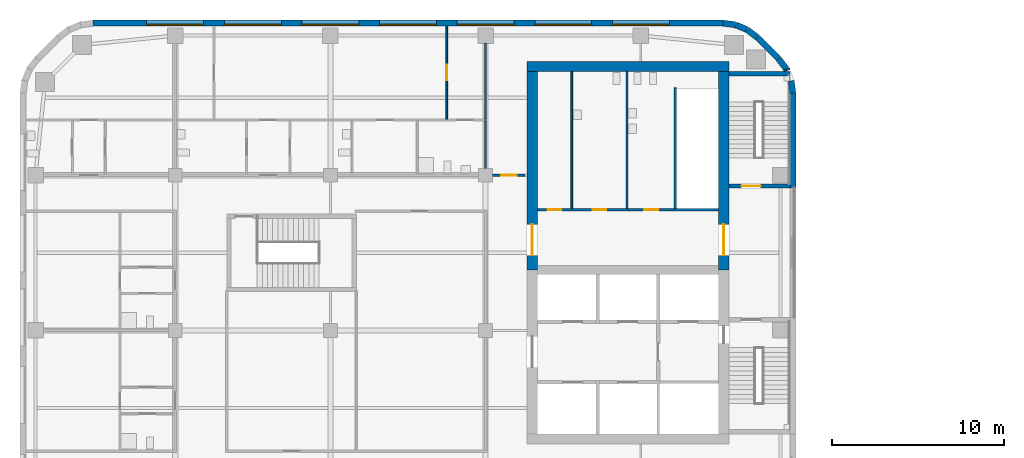
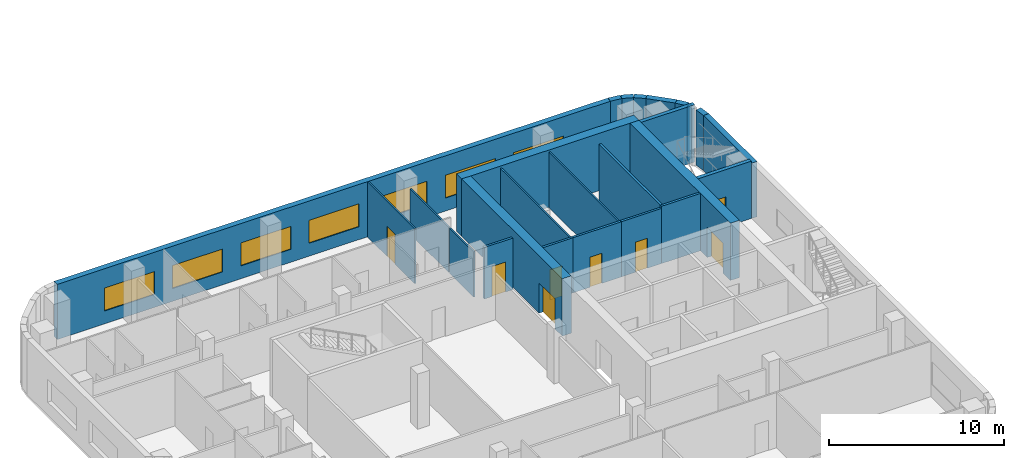
# One storey, part 8 of 16: 25 walls, 8 doors, 7 windows, 15 openings.
"""IFC4 building model written with IfcOpenShell, lengths in metres."""

from ifc_helpers import new_model, si_unit, direction, frame, frame_2d, origin, place, context, subcontext, project, spatial, rectangle, extrude, material, layer, layer_set, type_object, element, fill, save


model = new_model("IFC4")

# Units and contexts
model_context = context("Model", 3, precision=1e-05, world=origin(), true_north=direction((0.0, 1.0)))
body_context = subcontext(model_context, "Body", "Model", "MODEL_VIEW")
ifc_project = project(units=[si_unit("LENGTHUNIT", "METRE"), si_unit("AREAUNIT", "SQUARE_METRE"), si_unit("VOLUMEUNIT", "CUBIC_METRE"), si_unit("PLANEANGLEUNIT", "RADIAN"), si_unit("MASSUNIT", "GRAM", prefix="KILO")], contexts=[model_context])

# Site, building, storey
site_placement = place(None, origin())
site = spatial("IfcSite", under=ifc_project, at=site_placement, CompositionType="ELEMENT")
building_placement = place(site_placement, origin())
building = spatial("IfcBuilding", under=site, at=building_placement, Name="Cinnabar Reach Civic Tower", CompositionType="ELEMENT")
storey_placement = place(building_placement, frame((0.0, 0.0, 38.0)))
storey = spatial("IfcBuildingStorey", under=building, at=storey_placement, Name="L08", CompositionType="ELEMENT", Elevation=38.0)

# Walls
ifc_material_1 = material(Name="Facing brick with insulated backing", Category="masonry")
ifc_layer_1 = layer(ifc_material_1, 0.36)
ifc_layer_set_1 = layer_set([ifc_layer_1], Name="Brick corner wall")
wall_type_1 = type_object("IfcWallType", Name="Brick corner wall", PredefinedType="STANDARD", material=ifc_layer_set_1)
wall_1_placement = place(storey_placement, frame((-27.183, 40.7686, 0.0), z_axis=(0.0, 0.0, 1.0), x_axis=(-0.13055608231, 0.99144092581, 0.0)))
element("IfcWall", 1, at=wall_1_placement, inside=storey, type_object=wall_type_1, Name="Brick corner wall", PredefinedType="STANDARD", context=body_context, shape_type="SweptSolid", body=[
    extrude(rectangle(XDim=0.7131, YDim=0.36, at=frame_2d((0.3565, 0.0))), origin(), (0.0, 0.0, 1.0), 3.85),
])
wall_2_placement = place(storey_placement, frame((-27.5206, 42.0735, 0.0), z_axis=(0.0, 0.0, 1.0), x_axis=(-0.382549378284, 0.923935048136, 0.0)))
element("IfcWall", 2, at=wall_2_placement, inside=storey, type_object=wall_type_1, Name="Brick corner wall", PredefinedType="STANDARD", context=body_context, shape_type="SweptSolid", body=[
    extrude(rectangle(XDim=0.0894, YDim=0.36, at=frame_2d((0.0447, 0.0))), origin(), (0.0, 0.0, 1.0), 3.85),
])
for number, where, z_axis, x_axis, name in (
    (3, (-27.566, 42.1755, 0.0), (0.0, 0.0, 1.0), (-0.608802368033, 0.793321924995, 0.0), "Brick corner wall"),
    (4, (-29.2587, 43.9998, 0.0), (0.0, 0.0, 1.0), (-0.793321924995, 0.608802368033, 0.0), "Brick corner wall"),
):
    element("IfcWall", number, at=place(storey_placement, frame(where, z_axis=z_axis, x_axis=x_axis)), inside=storey, type_object=wall_type_1, Name=name, PredefinedType="STANDARD", context=body_context, shape_type="SweptSolid", body=[
        extrude(rectangle(XDim=0.7132, YDim=0.36, at=frame_2d((0.3566, 0.0))), origin(), (0.0, 0.0, 1.0), 3.85),
    ])
for number, where, z_axis, x_axis, name in (
    (5, (-29.8439, 44.4452, 0.0), (0.0, 0.0, 1.0), (-0.923871547278, 0.382702709855, 0.0), "Brick corner wall"),
    (6, (-30.5244, 44.7239, 0.0), (0.0, 0.0, 1.0), (-0.99144092581, 0.13055608231, 0.0), "Brick corner wall"),
):
    element("IfcWall", number, at=place(storey_placement, frame(where, z_axis=z_axis, x_axis=x_axis)), inside=storey, type_object=wall_type_1, Name=name, PredefinedType="STANDARD", context=body_context, shape_type="SweptSolid", body=[
        extrude(rectangle(XDim=0.7131, YDim=0.36, at=frame_2d((0.3565, 0.0))), origin(), (0.0, 0.0, 1.0), 3.85),
    ])
ifc_layer_2 = layer(ifc_material_1, 0.36)
ifc_layer_set_2 = layer_set([ifc_layer_2], Name="Brick pier and spandrel wall")
wall_type_2 = type_object("IfcWallType", Name="Brick pier and spandrel wall", PredefinedType="STANDARD", material=ifc_layer_set_2)
wall_3_placement = place(storey_placement, frame((-27.18, 35.25, 0.0), z_axis=(0.0, 0.0, 1.0), x_axis=(0.0, 1.0, 0.0)))
element("IfcWall", 7, at=wall_3_placement, inside=storey, type_object=wall_type_2, Name="Brick facade wall", PredefinedType="STANDARD", context=body_context, shape_type="SweptSolid", body=[
    extrude(rectangle(XDim=5.5074, YDim=0.36, at=frame_2d((2.7537, 0.0))), origin(), (0.0, 0.0, 1.0), 3.85),
])
wall_4_placement = place(storey_placement, frame((-28.006, 42.7514, 0.0), z_axis=(0.0, 0.0, 1.0), x_axis=(-0.707106781187, 0.707106781187, 0.0)))
element("IfcWall", 8, at=wall_4_placement, inside=storey, type_object=wall_type_2, Name="Brick facade wall", PredefinedType="STANDARD", context=body_context, shape_type="SweptSolid", body=[
    extrude(rectangle(XDim=1.7573, YDim=0.36, at=frame_2d((0.8787, 0.0))), origin(), (0.0, 0.0, 1.0), 3.85),
])

# Wall, openings, windows
wall_5_placement = place(storey_placement, frame((-31.2426, 44.82, 0.0), z_axis=(0.0, 0.0, 1.0), x_axis=(-1.0, 0.0, 0.0)))
wall_5 = element("IfcWall", 9, at=wall_5_placement, inside=storey, type_object=wall_type_2, Name="Brick facade wall", PredefinedType="STANDARD", context=body_context, shape_type="SweptSolid", body=[
    extrude(rectangle(XDim=36.5148, YDim=0.36, at=frame_2d((18.2574, 0.0))), origin(), (0.0, 0.0, 1.0), 3.85),
])
opening_1_placement = place(wall_5_placement, frame((3.1074, 0.0, 0.9)))
opening_1 = element("IfcOpeningElement", 10, at=opening_1_placement, cuts=wall_5, Name="Opening W2425", PredefinedType="OPENING", context=body_context, shape_type="SweptSolid", body=[
    extrude(rectangle(XDim=3.3, YDim=1.6, at=frame_2d((1.65, 0.8))), frame((0.0, 0.19, 0.0), z_axis=(0.0, -1.0, 0.0), x_axis=(1.0, 0.0, 0.0)), (0.0, 0.0, 1.0), 0.38),
])
opening_2_placement = place(wall_5_placement, frame((7.6074, 0.0, 0.9)))
opening_2 = element("IfcOpeningElement", 11, at=opening_2_placement, cuts=wall_5, Name="Opening W2426", PredefinedType="OPENING", context=body_context, shape_type="SweptSolid", body=[
    extrude(rectangle(XDim=3.3, YDim=1.6, at=frame_2d((1.65, 0.8))), frame((0.0, 0.19, 0.0), z_axis=(0.0, -1.0, 0.0), x_axis=(1.0, 0.0, 0.0)), (0.0, 0.0, 1.0), 0.38),
])
opening_3_placement = place(wall_5_placement, frame((12.1074, 0.0, 0.9)))
opening_3 = element("IfcOpeningElement", 12, at=opening_3_placement, cuts=wall_5, Name="Opening W2427", PredefinedType="OPENING", context=body_context, shape_type="SweptSolid", body=[
    extrude(rectangle(XDim=3.3, YDim=1.6, at=frame_2d((1.65, 0.8))), frame((0.0, 0.19, 0.0), z_axis=(0.0, -1.0, 0.0), x_axis=(1.0, 0.0, 0.0)), (0.0, 0.0, 1.0), 0.38),
])
opening_4_placement = place(wall_5_placement, frame((16.6074, 0.0, 0.9)))
opening_4 = element("IfcOpeningElement", 13, at=opening_4_placement, cuts=wall_5, Name="Opening W2428", PredefinedType="OPENING", context=body_context, shape_type="SweptSolid", body=[
    extrude(rectangle(XDim=3.3, YDim=1.6, at=frame_2d((1.65, 0.8))), frame((0.0, 0.19, 0.0), z_axis=(0.0, -1.0, 0.0), x_axis=(1.0, 0.0, 0.0)), (0.0, 0.0, 1.0), 0.38),
])
opening_5_placement = place(wall_5_placement, frame((21.1074, 0.0, 0.9)))
opening_5 = element("IfcOpeningElement", 14, at=opening_5_placement, cuts=wall_5, Name="Opening W2429", PredefinedType="OPENING", context=body_context, shape_type="SweptSolid", body=[
    extrude(rectangle(XDim=3.3, YDim=1.6, at=frame_2d((1.65, 0.8))), frame((0.0, 0.19, 0.0), z_axis=(0.0, -1.0, 0.0), x_axis=(1.0, 0.0, 0.0)), (0.0, 0.0, 1.0), 0.38),
])
opening_6_placement = place(wall_5_placement, frame((25.6074, 0.0, 0.9)))
opening_6 = element("IfcOpeningElement", 15, at=opening_6_placement, cuts=wall_5, Name="Opening W2430", PredefinedType="OPENING", context=body_context, shape_type="SweptSolid", body=[
    extrude(rectangle(XDim=3.3, YDim=1.6, at=frame_2d((1.65, 0.8))), frame((0.0, 0.19, 0.0), z_axis=(0.0, -1.0, 0.0), x_axis=(1.0, 0.0, 0.0)), (0.0, 0.0, 1.0), 0.38),
])
opening_7_placement = place(wall_5_placement, frame((30.1074, 0.0, 0.9)))
opening_7 = element("IfcOpeningElement", 16, at=opening_7_placement, cuts=wall_5, Name="Opening W2431", PredefinedType="OPENING", context=body_context, shape_type="SweptSolid", body=[
    extrude(rectangle(XDim=3.3, YDim=1.6, at=frame_2d((1.65, 0.8))), frame((0.0, 0.19, 0.0), z_axis=(0.0, -1.0, 0.0), x_axis=(1.0, 0.0, 0.0)), (0.0, 0.0, 1.0), 0.38),
])
ifc_material_2 = material(Name="Clear double glazing in aluminium frame", Category="aluminium")
window_type = type_object("IfcWindowType", Name="Deep-set window A", PartitioningType="SINGLE_PANEL", PredefinedType="WINDOW", material=ifc_material_2)
window_1_placement = place(opening_1_placement, origin())
window_1 = element("IfcWindow", 17, at=window_1_placement, inside=storey, type_object=window_type, Name="Window north face", OverallHeight=1.6, OverallWidth=3.3, PartitioningType="SINGLE_PANEL", PredefinedType="WINDOW", context=body_context, shape_type="SweptSolid", body=[
    extrude(rectangle(XDim=3.3, YDim=1.6, at=frame_2d((1.65, 0.8))), frame((0.0, 0.13, 0.0), z_axis=(0.0, -1.0, 0.0), x_axis=(1.0, 0.0, 0.0)), (0.0, 0.0, 1.0), 0.06),
])
fill(opening_1, window_1)
window_2_placement = place(opening_2_placement, origin())
window_2 = element("IfcWindow", 18, at=window_2_placement, inside=storey, type_object=window_type, Name="Window north face", OverallHeight=1.6, OverallWidth=3.3, PartitioningType="SINGLE_PANEL", PredefinedType="WINDOW", context=body_context, shape_type="SweptSolid", body=[
    extrude(rectangle(XDim=3.3, YDim=1.6, at=frame_2d((1.65, 0.8))), frame((0.0, 0.13, 0.0), z_axis=(0.0, -1.0, 0.0), x_axis=(1.0, 0.0, 0.0)), (0.0, 0.0, 1.0), 0.06),
])
fill(opening_2, window_2)
window_3_placement = place(opening_3_placement, origin())
window_3 = element("IfcWindow", 19, at=window_3_placement, inside=storey, type_object=window_type, Name="Window north face", OverallHeight=1.6, OverallWidth=3.3, PartitioningType="SINGLE_PANEL", PredefinedType="WINDOW", context=body_context, shape_type="SweptSolid", body=[
    extrude(rectangle(XDim=3.3, YDim=1.6, at=frame_2d((1.65, 0.8))), frame((0.0, 0.13, 0.0), z_axis=(0.0, -1.0, 0.0), x_axis=(1.0, 0.0, 0.0)), (0.0, 0.0, 1.0), 0.06),
])
fill(opening_3, window_3)
window_4_placement = place(opening_4_placement, origin())
window_4 = element("IfcWindow", 20, at=window_4_placement, inside=storey, type_object=window_type, Name="Window north face", OverallHeight=1.6, OverallWidth=3.3, PartitioningType="SINGLE_PANEL", PredefinedType="WINDOW", context=body_context, shape_type="SweptSolid", body=[
    extrude(rectangle(XDim=3.3, YDim=1.6, at=frame_2d((1.65, 0.8))), frame((0.0, 0.13, 0.0), z_axis=(0.0, -1.0, 0.0), x_axis=(1.0, 0.0, 0.0)), (0.0, 0.0, 1.0), 0.06),
])
fill(opening_4, window_4)
window_5_placement = place(opening_5_placement, origin())
window_5 = element("IfcWindow", 21, at=window_5_placement, inside=storey, type_object=window_type, Name="Window north face", OverallHeight=1.6, OverallWidth=3.3, PartitioningType="SINGLE_PANEL", PredefinedType="WINDOW", context=body_context, shape_type="SweptSolid", body=[
    extrude(rectangle(XDim=3.3, YDim=1.6, at=frame_2d((1.65, 0.8))), frame((0.0, 0.13, 0.0), z_axis=(0.0, -1.0, 0.0), x_axis=(1.0, 0.0, 0.0)), (0.0, 0.0, 1.0), 0.06),
])
fill(opening_5, window_5)
window_6_placement = place(opening_6_placement, origin())
window_6 = element("IfcWindow", 22, at=window_6_placement, inside=storey, type_object=window_type, Name="Window north face", OverallHeight=1.6, OverallWidth=3.3, PartitioningType="SINGLE_PANEL", PredefinedType="WINDOW", context=body_context, shape_type="SweptSolid", body=[
    extrude(rectangle(XDim=3.3, YDim=1.6, at=frame_2d((1.65, 0.8))), frame((0.0, 0.13, 0.0), z_axis=(0.0, -1.0, 0.0), x_axis=(1.0, 0.0, 0.0)), (0.0, 0.0, 1.0), 0.06),
])
fill(opening_6, window_6)
window_7_placement = place(opening_7_placement, origin())
window_7 = element("IfcWindow", 23, at=window_7_placement, inside=storey, type_object=window_type, Name="Window north face", OverallHeight=1.6, OverallWidth=3.3, PartitioningType="SINGLE_PANEL", PredefinedType="WINDOW", context=body_context, shape_type="SweptSolid", body=[
    extrude(rectangle(XDim=3.3, YDim=1.6, at=frame_2d((1.65, 0.8))), frame((0.0, 0.13, 0.0), z_axis=(0.0, -1.0, 0.0), x_axis=(1.0, 0.0, 0.0)), (0.0, 0.0, 1.0), 0.06),
])
fill(opening_7, window_7)

# Wall
ifc_material_3 = material(Name="Concrete C70", Category="concrete")
ifc_layer_3 = layer(ifc_material_3, 0.6)
ifc_layer_set_3 = layer_set([ifc_layer_3], Name="Core wall 600 EI 180")
wall_type_3 = type_object("IfcWallType", Name="Core wall 600 EI 180", PredefinedType="SOLIDWALL", material=ifc_layer_set_3)
wall_6_placement = place(storey_placement, frame((-30.9, 42.3, 0.0), z_axis=(0.0, 0.0, 1.0), x_axis=(-1.0, 0.0, 0.0)))
element("IfcWall", 24, at=wall_6_placement, inside=storey, type_object=wall_type_3, Name="Core wall T2 L08 N", PredefinedType="SOLIDWALL", context=body_context, shape_type="SweptSolid", body=[
    extrude(rectangle(XDim=11.7, YDim=0.6, at=frame_2d((5.85, 0.0))), origin(), (0.0, 0.0, 1.0), 4.0),
])

# Wall, opening, door
wall_7_placement = place(storey_placement, frame((-31.2, 30.5, 0.0), z_axis=(0.0, 0.0, 1.0), x_axis=(0.0, 1.0, 0.0)))
wall_7 = element("IfcWall", 25, at=wall_7_placement, inside=storey, type_object=wall_type_3, Name="Core wall T2 L08 E2", PredefinedType="SOLIDWALL", context=body_context, shape_type="SweptSolid", body=[
    extrude(rectangle(XDim=11.5, YDim=0.6, at=frame_2d((5.75, 0.0))), origin(), (0.0, 0.0, 1.0), 4.0),
])
opening_8_placement = place(wall_7_placement, frame((0.85, 0.0, 0.0)))
opening_8 = element("IfcOpeningElement", 26, at=opening_8_placement, cuts=wall_7, Name="Opening D6267", PredefinedType="OPENING", context=body_context, shape_type="SweptSolid", body=[
    extrude(rectangle(XDim=1.8, YDim=2.1, at=frame_2d((0.9, 1.05))), frame((0.0, 0.31, 0.0), z_axis=(0.0, -1.0, 0.0), x_axis=(1.0, 0.0, 0.0)), (0.0, 0.0, 1.0), 0.62),
])
ifc_material_4 = material(Name="Steel fire door", Category="steel")
door_type_1 = type_object("IfcDoorType", Name="T2 Double door 1800", OperationType="DOUBLE_DOOR_SINGLE_SWING", PredefinedType="DOOR", material=ifc_material_4)
door_1_placement = place(opening_8_placement, origin())
door_1 = element("IfcDoor", 27, at=door_1_placement, inside=storey, type_object=door_type_1, Name="T2 Double door D6267", OperationType="DOUBLE_DOOR_SINGLE_SWING", OverallHeight=2.1, OverallWidth=1.8, PredefinedType="DOOR", context=body_context, shape_type="SweptSolid", body=[
    extrude(rectangle(XDim=1.8, YDim=2.1, at=frame_2d((0.9, 1.05))), frame((0.0, 0.025, 0.0), z_axis=(0.0, -1.0, 0.0), x_axis=(1.0, 0.0, 0.0)), (0.0, 0.0, 1.0), 0.05),
])
fill(opening_8, door_1)

wall_8_placement = place(storey_placement, frame((-42.3, 42.0, 0.0), z_axis=(0.0, 0.0, 1.0), x_axis=(0.0, -1.0, 0.0)))
wall_8 = element("IfcWall", 28, at=wall_8_placement, inside=storey, type_object=wall_type_3, Name="Core wall T2 L08 W", PredefinedType="SOLIDWALL", context=body_context, shape_type="SweptSolid", body=[
    extrude(rectangle(XDim=11.5, YDim=0.6, at=frame_2d((5.75, 0.0))), origin(), (0.0, 0.0, 1.0), 4.0),
])
opening_9_placement = place(wall_8_placement, frame((8.85, 0.0, 0.0)))
opening_9 = element("IfcOpeningElement", 29, at=opening_9_placement, cuts=wall_8, Name="Opening D6269", PredefinedType="OPENING", context=body_context, shape_type="SweptSolid", body=[
    extrude(rectangle(XDim=1.8, YDim=2.1, at=frame_2d((0.9, 1.05))), frame((0.0, 0.31, 0.0), z_axis=(0.0, -1.0, 0.0), x_axis=(1.0, 0.0, 0.0)), (0.0, 0.0, 1.0), 0.62),
])
door_2_placement = place(opening_9_placement, frame((1.8, 0.0, 0.0), z_axis=(0.0, 0.0, 1.0), x_axis=(-1.0, 0.0, 0.0)))
door_2 = element("IfcDoor", 30, at=door_2_placement, inside=storey, type_object=door_type_1, Name="T2 Double door D6269", OperationType="DOUBLE_DOOR_SINGLE_SWING", OverallHeight=2.1, OverallWidth=1.8, PredefinedType="DOOR", context=body_context, shape_type="SweptSolid", body=[
    extrude(rectangle(XDim=1.8, YDim=2.1, at=frame_2d((0.9, 1.05))), frame((0.0, 0.025, 0.0), z_axis=(0.0, -1.0, 0.0), x_axis=(1.0, 0.0, 0.0)), (0.0, 0.0, 1.0), 0.05),
])
fill(opening_9, door_2)

ifc_material_5 = material(Name="Gypsum board on steel studs, double layer", Category="steel")
ifc_layer_4 = layer(ifc_material_5, 0.15)
ifc_layer_set_4 = layer_set([ifc_layer_4], Name="Corridor wall 150 T2")
wall_type_4 = type_object("IfcWallType", Name="Corridor wall 150 T2", PredefinedType="PARTITIONING", material=ifc_layer_set_4)
wall_9_placement = place(storey_placement, frame((-44.6, 36.0, 0.0), z_axis=(0.0, 0.0, 1.0), x_axis=(1.0, 0.0, 0.0)))
wall_9 = element("IfcWall", 31, at=wall_9_placement, inside=storey, type_object=wall_type_4, Name="Corridor wall 6", PredefinedType="PARTITIONING", context=body_context, shape_type="SweptSolid", body=[
    extrude(rectangle(XDim=1.875, YDim=0.15, at=frame_2d((0.9375, 0.0))), origin(), (0.0, 0.0, 1.0), 3.602),
])
opening_10_placement = place(wall_9_placement, frame((0.5, 0.0, 0.0)))
opening_10 = element("IfcOpeningElement", 32, at=opening_10_placement, cuts=wall_9, Name="Opening D6273", PredefinedType="OPENING", context=body_context, shape_type="SweptSolid", body=[
    extrude(rectangle(XDim=0.9, YDim=2.1, at=frame_2d((0.45, 1.05))), frame((0.0, 0.085, 0.0), z_axis=(0.0, -1.0, 0.0), x_axis=(1.0, 0.0, 0.0)), (0.0, 0.0, 1.0), 0.17),
])
ifc_material_6 = material(Name="Timber door leaf in steel frame", Category="steel")
door_type_2 = type_object("IfcDoorType", Name="Single swing door 900 x 2100 T2", OperationType="SINGLE_SWING_LEFT", PredefinedType="DOOR", material=ifc_material_6)
door_3_placement = place(opening_10_placement, origin())
door_3 = element("IfcDoor", 33, at=door_3_placement, inside=storey, type_object=door_type_2, Name="Door D6273", OperationType="SINGLE_SWING_LEFT", OverallHeight=2.1, OverallWidth=0.9, PredefinedType="DOOR", context=body_context, shape_type="SweptSolid", body=[
    extrude(rectangle(XDim=0.9, YDim=2.1, at=frame_2d((0.45, 1.05))), frame((0.0, 0.025, 0.0), z_axis=(0.0, -1.0, 0.0), x_axis=(1.0, 0.0, 0.0)), (0.0, 0.0, 1.0), 0.05),
])
fill(opening_10, door_3)

# Walls
ifc_material_7 = material(Name="Gypsum board on steel studs", Category="steel")
ifc_layer_5 = layer(ifc_material_7, 0.1)
ifc_layer_set_5 = layer_set([ifc_layer_5], Name="Partition wall 100 T2")
wall_type_5 = type_object("IfcWallType", Name="Partition wall 100 T2", PredefinedType="PARTITIONING", material=ifc_layer_set_5)
wall_10_placement = place(storey_placement, frame((-45.0, 39.25, 0.0), z_axis=(0.0, 0.0, 1.0), x_axis=(0.0, 1.0, 0.0)))
element("IfcWall", 34, at=wall_10_placement, inside=storey, type_object=wall_type_5, Name="Partition wall 40", PredefinedType="PARTITIONING", context=body_context, shape_type="SweptSolid", body=[
    extrude(rectangle(XDim=4.4, YDim=0.1, at=frame_2d((2.2, 0.0))), origin(), (0.0, 0.0, 1.0), 3.158),
])
wall_11_placement = place(storey_placement, frame((-45.0, 36.4, 0.0), z_axis=(0.0, 0.0, 1.0), x_axis=(0.0, 1.0, 0.0)))
element("IfcWall", 35, at=wall_11_placement, inside=storey, type_object=wall_type_5, Name="Partition wall 41", PredefinedType="PARTITIONING", context=body_context, shape_type="SweptSolid", body=[
    extrude(rectangle(XDim=2.75, YDim=0.1, at=frame_2d((1.375, 0.0))), origin(), (0.0, 0.0, 1.0), 3.158),
])

# Wall, opening, door
wall_12_placement = place(storey_placement, frame((-47.25, 39.25, 0.0), z_axis=(0.0, 0.0, 1.0), x_axis=(0.0, 1.0, 0.0)))
wall_12 = element("IfcWall", 36, at=wall_12_placement, inside=storey, type_object=wall_type_5, Name="Partition wall 43", PredefinedType="PARTITIONING", context=body_context, shape_type="SweptSolid", body=[
    extrude(rectangle(XDim=5.39, YDim=0.1, at=frame_2d((2.695, 0.0))), origin(), (0.0, 0.0, 1.0), 3.85),
])
opening_11_placement = place(wall_12_placement, frame((2.25, 0.0, 0.0)))
opening_11 = element("IfcOpeningElement", 37, at=opening_11_placement, cuts=wall_12, Name="Opening D6298", PredefinedType="OPENING", context=body_context, shape_type="SweptSolid", body=[
    extrude(rectangle(XDim=0.9, YDim=2.1, at=frame_2d((0.45, 1.05))), frame((0.0, 0.06, 0.0), z_axis=(0.0, -1.0, 0.0), x_axis=(1.0, 0.0, 0.0)), (0.0, 0.0, 1.0), 0.12),
])
door_4_placement = place(opening_11_placement, frame((0.9, 0.0, 0.0), z_axis=(0.0, 0.0, 1.0), x_axis=(-1.0, 0.0, 0.0)))
door_4 = element("IfcDoor", 38, at=door_4_placement, inside=storey, type_object=door_type_2, Name="Door D6298", OperationType="SINGLE_SWING_LEFT", OverallHeight=2.1, OverallWidth=0.9, PredefinedType="DOOR", context=body_context, shape_type="SweptSolid", body=[
    extrude(rectangle(XDim=0.9, YDim=2.1, at=frame_2d((0.45, 1.05))), frame((0.0, 0.025, 0.0), z_axis=(0.0, -1.0, 0.0), x_axis=(1.0, 0.0, 0.0)), (0.0, 0.0, 1.0), 0.05),
])
fill(opening_11, door_4)

ifc_material_8 = material(Name="Concrete C60", Category="concrete")
ifc_layer_6 = layer(ifc_material_8, 0.25)
ifc_layer_set_6 = layer_set([ifc_layer_6], Name="Stair shaft wall 250 EI 120")
wall_type_6 = type_object("IfcWallType", Name="Stair shaft wall 250 EI 120", PredefinedType="SOLIDWALL", material=ifc_layer_set_6)
wall_13_placement = place(storey_placement, frame((-30.9, 35.375, 0.0), z_axis=(0.0, 0.0, 1.0), x_axis=(1.0, 0.0, 0.0)))
wall_13 = element("IfcWall", 39, at=wall_13_placement, inside=storey, type_object=wall_type_6, Name="Stair shaft wall T2-S2 L08", PredefinedType="SOLIDWALL", context=body_context, shape_type="SweptSolid", body=[
    extrude(rectangle(XDim=3.54, YDim=0.25, at=frame_2d((1.77, 0.0))), origin(), (0.0, 0.0, 1.0), 4.0),
])
opening_12_placement = place(wall_13_placement, frame((0.75, 0.0, 0.0)))
opening_12 = element("IfcOpeningElement", 40, at=opening_12_placement, cuts=wall_13, Name="Opening D6266", PredefinedType="OPENING", context=body_context, shape_type="SweptSolid", body=[
    extrude(rectangle(XDim=1.1, YDim=2.1, at=frame_2d((0.55, 1.05))), frame((0.0, 0.135, 0.0), z_axis=(0.0, -1.0, 0.0), x_axis=(1.0, 0.0, 0.0)), (0.0, 0.0, 1.0), 0.27),
])
door_type_3 = type_object("IfcDoorType", Name="T2 Stair door 1100", OperationType="SINGLE_SWING_LEFT", PredefinedType="DOOR", material=ifc_material_4)
door_5_placement = place(opening_12_placement, origin())
door_5 = element("IfcDoor", 41, at=door_5_placement, inside=storey, type_object=door_type_3, Name="T2 Stair door D6266", OperationType="SINGLE_SWING_RIGHT", OverallHeight=2.1, OverallWidth=1.1, PredefinedType="DOOR", context=body_context, shape_type="SweptSolid", body=[
    extrude(rectangle(XDim=1.1, YDim=2.1, at=frame_2d((0.55, 1.05))), frame((0.0, 0.025, 0.0), z_axis=(0.0, -1.0, 0.0), x_axis=(1.0, 0.0, 0.0)), (0.0, 0.0, 1.0), 0.05),
])
fill(opening_12, door_5)

# Wall
wall_14_placement = place(storey_placement, frame((-27.36, 41.875, 0.0), z_axis=(0.0, 0.0, 1.0), x_axis=(-1.0, 0.0, 0.0)))
element("IfcWall", 42, at=wall_14_placement, inside=storey, type_object=wall_type_6, Name="Stair shaft wall T2-S2 L08", PredefinedType="SOLIDWALL", context=body_context, shape_type="SweptSolid", body=[
    extrude(rectangle(XDim=3.54, YDim=0.25, at=frame_2d((1.77, 0.0))), origin(), (0.0, 0.0, 1.0), 4.0),
])

# Wall, opening, door
ifc_material_9 = material(Name="Masonry block partition", Category="masonry")
ifc_layer_7 = layer(ifc_material_9, 0.15)
ifc_layer_set_7 = layer_set([ifc_layer_7], Name="T2 Corridor wall 150")
wall_type_7 = type_object("IfcWallType", Name="T2 Corridor wall 150", PredefinedType="PARTITIONING", material=ifc_layer_set_7)
wall_15_placement = place(storey_placement, frame((-39.925, 34.0, 0.0), z_axis=(0.0, 0.0, 1.0), x_axis=(-1.0, 0.0, 0.0)))
wall_15 = element("IfcWall", 43, at=wall_15_placement, inside=storey, type_object=wall_type_7, Name="T2 Corridor wall L08 014", PredefinedType="PARTITIONING", context=body_context, shape_type="SweptSolid", body=[
    extrude(rectangle(XDim=2.075, YDim=0.15, at=frame_2d((1.0375, 0.0))), origin(), (0.0, 0.0, 1.0), 3.85),
])
opening_13_placement = place(wall_15_placement, frame((0.675, 0.0, 0.0)))
opening_13 = element("IfcOpeningElement", 44, at=opening_13_placement, cuts=wall_15, Name="Opening D6270", PredefinedType="OPENING", context=body_context, shape_type="SweptSolid", body=[
    extrude(rectangle(XDim=0.8, YDim=2.1, at=frame_2d((0.4, 1.05))), frame((0.0, 0.085, 0.0), z_axis=(0.0, -1.0, 0.0), x_axis=(1.0, 0.0, 0.0)), (0.0, 0.0, 1.0), 0.17),
])
ifc_material_10 = material(Name="Timber door leaf", Category="wood")
door_type_4 = type_object("IfcDoorType", Name="T2 Bathroom door 800", OperationType="SINGLE_SWING_LEFT", PredefinedType="DOOR", material=ifc_material_10)
door_6_placement = place(opening_13_placement, frame((0.8, 0.0, 0.0), z_axis=(0.0, 0.0, 1.0), x_axis=(-1.0, 0.0, 0.0)))
door_6 = element("IfcDoor", 45, at=door_6_placement, inside=storey, type_object=door_type_4, Name="T2 Bathroom door D6270", OperationType="SINGLE_SWING_LEFT", OverallHeight=2.1, OverallWidth=0.8, PredefinedType="DOOR", context=body_context, shape_type="SweptSolid", body=[
    extrude(rectangle(XDim=0.8, YDim=2.1, at=frame_2d((0.4, 1.05))), frame((0.0, 0.025, 0.0), z_axis=(0.0, -1.0, 0.0), x_axis=(1.0, 0.0, 0.0)), (0.0, 0.0, 1.0), 0.05),
])
fill(opening_13, door_6)

wall_16_placement = place(storey_placement, frame((-36.725, 34.0, 0.0), z_axis=(0.0, 0.0, 1.0), x_axis=(-1.0, 0.0, 0.0)))
wall_16 = element("IfcWall", 46, at=wall_16_placement, inside=storey, type_object=wall_type_7, Name="T2 Corridor wall L08 015", PredefinedType="PARTITIONING", context=body_context, shape_type="SweptSolid", body=[
    extrude(rectangle(XDim=3.2, YDim=0.15, at=frame_2d((1.6, 0.0))), origin(), (0.0, 0.0, 1.0), 3.85),
])
opening_14_placement = place(wall_16_placement, frame((1.275, 0.0, 0.0)))
opening_14 = element("IfcOpeningElement", 47, at=opening_14_placement, cuts=wall_16, Name="Opening D6271", PredefinedType="OPENING", context=body_context, shape_type="SweptSolid", body=[
    extrude(rectangle(XDim=0.8, YDim=2.1, at=frame_2d((0.4, 1.05))), frame((0.0, 0.085, 0.0), z_axis=(0.0, -1.0, 0.0), x_axis=(1.0, 0.0, 0.0)), (0.0, 0.0, 1.0), 0.17),
])
door_7_placement = place(opening_14_placement, frame((0.8, 0.0, 0.0), z_axis=(0.0, 0.0, 1.0), x_axis=(-1.0, 0.0, 0.0)))
door_7 = element("IfcDoor", 48, at=door_7_placement, inside=storey, type_object=door_type_4, Name="T2 Bathroom door D6271", OperationType="SINGLE_SWING_LEFT", OverallHeight=2.1, OverallWidth=0.8, PredefinedType="DOOR", context=body_context, shape_type="SweptSolid", body=[
    extrude(rectangle(XDim=0.8, YDim=2.1, at=frame_2d((0.4, 1.05))), frame((0.0, 0.025, 0.0), z_axis=(0.0, -1.0, 0.0), x_axis=(1.0, 0.0, 0.0)), (0.0, 0.0, 1.0), 0.05),
])
fill(opening_14, door_7)

wall_17_placement = place(storey_placement, frame((-34.075, 34.0, 0.0), z_axis=(0.0, 0.0, 1.0), x_axis=(-1.0, 0.0, 0.0)))
wall_17 = element("IfcWall", 49, at=wall_17_placement, inside=storey, type_object=wall_type_7, Name="T2 Corridor wall L08 016", PredefinedType="PARTITIONING", context=body_context, shape_type="SweptSolid", body=[
    extrude(rectangle(XDim=2.65, YDim=0.15, at=frame_2d((1.325, 0.0))), origin(), (0.0, 0.0, 1.0), 3.85),
])
opening_15_placement = place(wall_17_placement, frame((0.925, 0.0, 0.0)))
opening_15 = element("IfcOpeningElement", 50, at=opening_15_placement, cuts=wall_17, Name="Opening D6272", PredefinedType="OPENING", context=body_context, shape_type="SweptSolid", body=[
    extrude(rectangle(XDim=0.8, YDim=2.1, at=frame_2d((0.4, 1.05))), frame((0.0, 0.085, 0.0), z_axis=(0.0, -1.0, 0.0), x_axis=(1.0, 0.0, 0.0)), (0.0, 0.0, 1.0), 0.17),
])
door_8_placement = place(opening_15_placement, frame((0.8, 0.0, 0.0), z_axis=(0.0, 0.0, 1.0), x_axis=(-1.0, 0.0, 0.0)))
door_8 = element("IfcDoor", 51, at=door_8_placement, inside=storey, type_object=door_type_4, Name="T2 Bathroom door D6272", OperationType="SINGLE_SWING_RIGHT", OverallHeight=2.1, OverallWidth=0.8, PredefinedType="DOOR", context=body_context, shape_type="SweptSolid", body=[
    extrude(rectangle(XDim=0.8, YDim=2.1, at=frame_2d((0.4, 1.05))), frame((0.0, 0.025, 0.0), z_axis=(0.0, -1.0, 0.0), x_axis=(1.0, 0.0, 0.0)), (0.0, 0.0, 1.0), 0.05),
])
fill(opening_15, door_8)

# Walls
ifc_material_11 = material(Name="Gypsum board partition")
ifc_layer_8 = layer(ifc_material_11, 0.1)
ifc_layer_set_8 = layer_set([ifc_layer_8], Name="T2 Internal partition 100")
wall_type_8 = type_object("IfcWallType", Name="T2 Internal partition 100", PredefinedType="PARTITIONING", material=ifc_layer_set_8)
for number, where, z_axis, x_axis, name in (
    (52, (-40.0, 34.075, 0.0), (0.0, 0.0, 1.0), (0.0, 1.0, 0.0), "T2 Internal partition L08 017"),
    (53, (-36.8, 34.075, 0.0), (0.0, 0.0, 1.0), (0.0, 1.0, 0.0), "T2 Internal partition L08 018"),
):
    element("IfcWall", number, at=place(storey_placement, frame(where, z_axis=z_axis, x_axis=x_axis)), inside=storey, type_object=wall_type_8, Name=name, PredefinedType="PARTITIONING", context=body_context, shape_type="SweptSolid", body=[
        extrude(rectangle(XDim=7.925, YDim=0.1, at=frame_2d((3.9625, 0.0))), origin(), (0.0, 0.0, 1.0), 3.85),
    ])
ifc_material_12 = material(Name="Concrete C40", Category="concrete")
ifc_layer_9 = layer(ifc_material_12, 0.15)
ifc_layer_set_9 = layer_set([ifc_layer_9], Name="T2 Riser wall 150")
wall_type_9 = type_object("IfcWallType", Name="T2 Riser wall 150", PredefinedType="SOLIDWALL", material=ifc_layer_set_9)
wall_18_placement = place(storey_placement, frame((-34.075, 34.0, 0.0), z_axis=(0.0, 0.0, 1.0), x_axis=(1.0, 0.0, 0.0)))
element("IfcWall", 54, at=wall_18_placement, inside=storey, type_object=wall_type_9, Name="T2 Riser wall L08 012", PredefinedType="SOLIDWALL", context=body_context, shape_type="SweptSolid", body=[
    extrude(rectangle(XDim=2.575, YDim=0.15, at=frame_2d((1.2875, 0.0))), origin(), (0.0, 0.0, 1.0), 4.0),
])
wall_19_placement = place(storey_placement, frame((-34.0, 41.075, 0.0), z_axis=(0.0, 0.0, 1.0), x_axis=(0.0, -1.0, 0.0)))
element("IfcWall", 55, at=wall_19_placement, inside=storey, type_object=wall_type_9, Name="T2 Riser wall L08 013", PredefinedType="SOLIDWALL", context=body_context, shape_type="SweptSolid", body=[
    extrude(rectangle(XDim=7.0, YDim=0.15, at=frame_2d((3.5, 0.0))), origin(), (0.0, 0.0, 1.0), 4.0),
])

save(model, "model.ifc")
